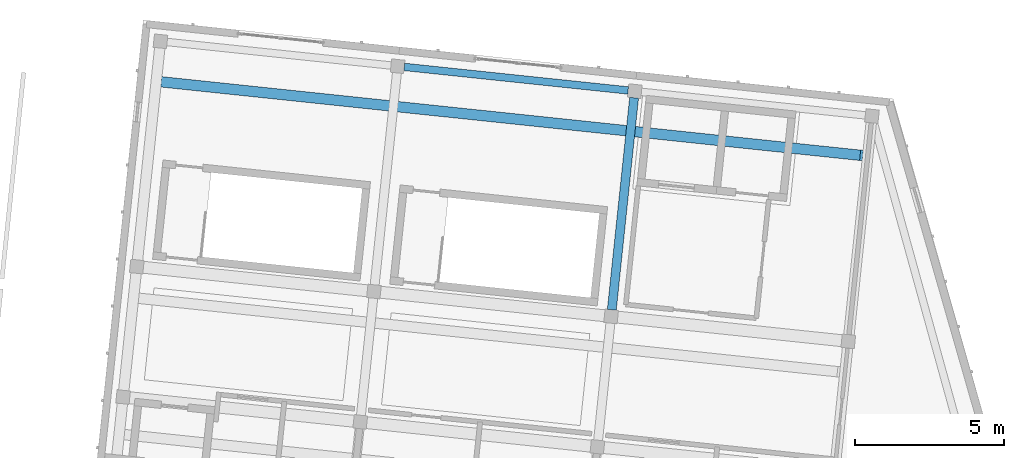
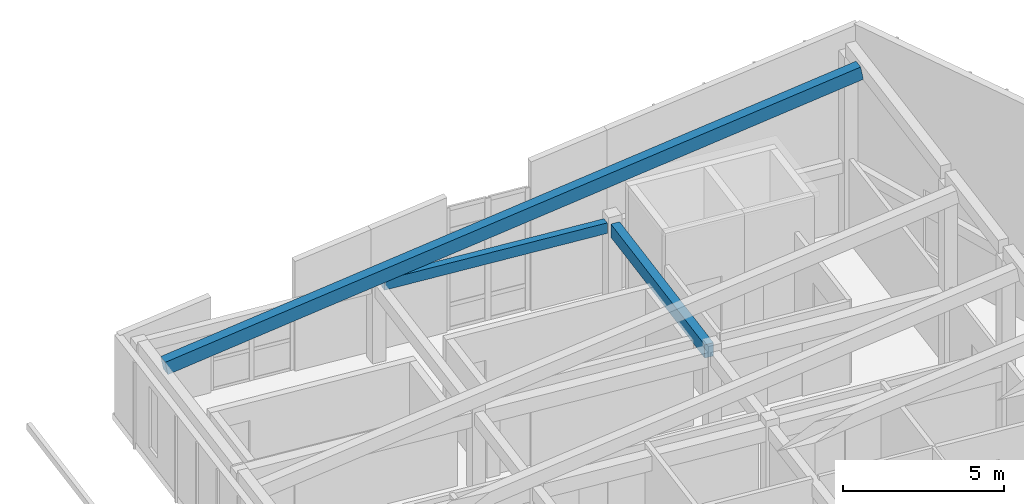
# One storey, part 8 of 31: 3 beams.
"""IFC4 building model written with IfcOpenShell, lengths in metres."""

from ifc_helpers import new_model, si_unit, direction, frame, origin, origin_2d, place, context, subcontext, project, spatial, rectangle, extrude, material, material_profile, profile_set, type_object, element, save


model = new_model("IFC4")

# Units and contexts
model_context = context("Model", 3, precision=1e-05, world=origin(), true_north=direction((0.0, 1.0)))
body_context = subcontext(model_context, "Body", "Model", "MODEL_VIEW")
ifc_project = project(units=[si_unit("LENGTHUNIT", "METRE"), si_unit("AREAUNIT", "SQUARE_METRE"), si_unit("VOLUMEUNIT", "CUBIC_METRE"), si_unit("PLANEANGLEUNIT", "RADIAN"), si_unit("MASSUNIT", "GRAM", prefix="KILO")], contexts=[model_context])

# Site, building, storey
site_placement = place(None, origin())
site = spatial("IfcSite", under=ifc_project, at=site_placement, CompositionType="ELEMENT")
building_placement = place(site_placement, origin())
building = spatial("IfcBuilding", under=site, at=building_placement, Name="Kestramere Prow Commons", CompositionType="ELEMENT")
storey_placement = place(building_placement, frame((0.0, 0.0, 37.64990234375)))
storey = spatial("IfcBuildingStorey", under=building, at=storey_placement, Name="L11", CompositionType="ELEMENT", Elevation=37.64990234375)

# Beams
ifc_material = material(Name="Precast concrete C40/50", Category="concrete")
ifc_material_profile_1 = material_profile(ifc_material, rectangle(XDim=0.300048828125, YDim=0.5, at=origin_2d()), Name="PC-BM 300x500")
ifc_profile_set_1 = profile_set([ifc_material_profile_1], Name="Precast concrete C40/50")
beam_type_1 = type_object("IfcBeamType", Name="BM-TIE-01 PC-BM 300x500", PredefinedType="BEAM", material=ifc_profile_set_1)
beam_1_placement = place(storey_placement, frame((151.058837890625, 102.77685546875, 2.75), z_axis=(0.104519481265, 0.994522839374, 0.0), x_axis=(-0.994522839374, 0.104519481265, 0.0)))
element("IfcBeam", 1, at=beam_1_placement, inside=storey, type_object=beam_type_1, Name="Block B L11 Transverse Beam 6-3", PredefinedType="BEAM", context=body_context, shape_type="SweptSolid", body=[
    extrude(rectangle(XDim=0.300048828125, YDim=0.5, at=origin_2d()), origin(), (0.0, 0.0, 1.0), 7.14990234375),
])
ifc_material_profile_2 = material_profile(ifc_material, rectangle(XDim=0.35009765625, YDim=0.5, at=origin_2d()), Name="PC-RB 350x500")
ifc_profile_set_2 = profile_set([ifc_material_profile_2], Name="Precast concrete C40/50")
beam_type_2 = type_object("IfcBeamType", Name="RB-PR-02 PC-RB 350x500", PredefinedType="BEAM", material=ifc_profile_set_2)
beam_2_placement = place(storey_placement, frame((159.435791015625, 107.95458984375, 7.273193359375), z_axis=(-0.977247267861, 0.102716059886, -0.185572596308), x_axis=(-0.1045317176, -0.994521553319, 0.0)))
element("IfcBeam", 2, at=beam_2_placement, inside=storey, type_object=beam_type_2, Name="Block B Upper Prow Raking Rafter 4", PredefinedType="BEAM", context=body_context, shape_type="SweptSolid", body=[
    extrude(rectangle(XDim=0.35009765625, YDim=0.5, at=origin_2d()), origin(), (0.0, 0.0, 1.0), 23.99658203125),
])
ifc_material_profile_3 = material_profile(ifc_material, rectangle(XDim=0.25, YDim=0.39990234375, at=origin_2d()), Name="PC-SP 250x400")
ifc_profile_set_3 = profile_set([ifc_material_profile_3], Name="Precast concrete C40/50")
beam_type_3 = type_object("IfcBeamType", Name="SP-EXT-01 PC-SP 250x400", PredefinedType="SPANDREL", material=ifc_profile_set_3)
beam_3_placement = place(storey_placement, frame((144.09716796875, 110.92431640625, 2.800048828125), z_axis=(0.994520503149, -0.104541708502, 0.0), x_axis=(0.104541708502, 0.994520503149, 0.0)))
element("IfcBeam", 3, at=beam_3_placement, inside=storey, type_object=beam_type_3, Name="Block B L11 Longitudinal Beam 4-5", PredefinedType="SPANDREL", context=body_context, shape_type="SweptSolid", body=[
    extrude(rectangle(XDim=0.25, YDim=0.39990234375, at=origin_2d()), origin(), (0.0, 0.0, 1.0), 7.550048828125),
])

save(model, "model.ifc")
